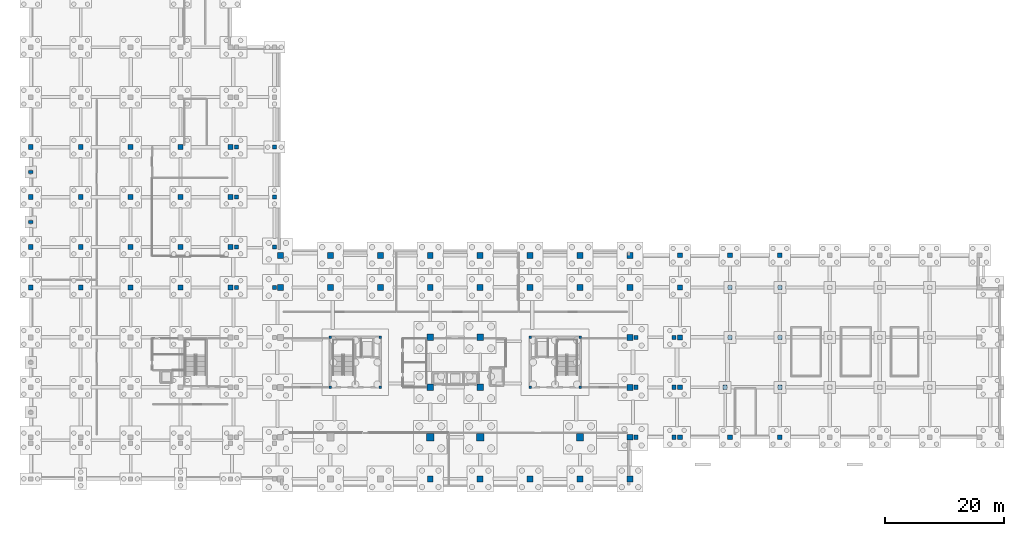
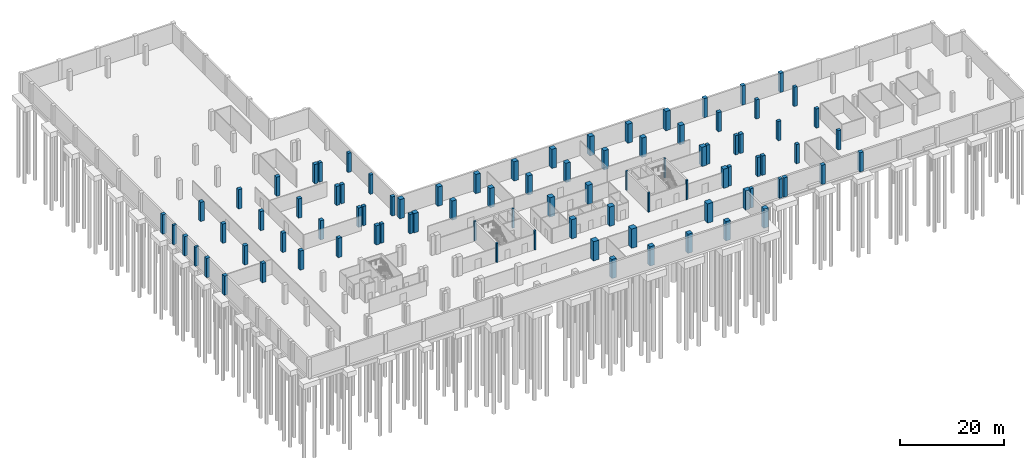
# One storey, part 8 of 17: 90 columns.
"""IFC4 building model written with IfcOpenShell, lengths in metres."""

from ifc_helpers import new_model, si_unit, direction, frame, origin, origin_2d, place, context, subcontext, project, spatial, rectangle, extrude, material, material_profile, profile_set, type_object, element, save


model = new_model("IFC4")

# Units and contexts
model_context = context("Model", 3, precision=1e-05, world=origin(), true_north=direction((0.0, 1.0)))
body_context = subcontext(model_context, "Body", "Model", "MODEL_VIEW")
ifc_project = project(units=[si_unit("LENGTHUNIT", "METRE"), si_unit("AREAUNIT", "SQUARE_METRE"), si_unit("VOLUMEUNIT", "CUBIC_METRE"), si_unit("PLANEANGLEUNIT", "RADIAN"), si_unit("MASSUNIT", "GRAM", prefix="KILO")], contexts=[model_context])

# Site, building, storey
site_placement = place(None, origin())
site = spatial("IfcSite", under=ifc_project, at=site_placement, CompositionType="ELEMENT")
building_placement = place(site_placement, origin())
building = spatial("IfcBuilding", under=site, at=building_placement, Name="Telukmera Botanical Conservatory", CompositionType="ELEMENT")
storey_placement = place(building_placement, frame((0.0, 0.0, -4.5)))
storey = spatial("IfcBuildingStorey", under=building, at=storey_placement, Name="B1", CompositionType="ELEMENT", Elevation=-4.5)

# Columns
ifc_material_1 = material(Name="Concrete C50/60", Category="concrete")
ifc_material_profile_1 = material_profile(ifc_material_1, rectangle(XDim=1.199951171875, YDim=1.199951171875, at=origin_2d()), Name="RC 1200x1200")
ifc_profile_set_1 = profile_set([ifc_material_profile_1], Name="Concrete C50/60")
column_type_1 = type_object("IfcColumnType", Name="Col_C1", PredefinedType="COLUMN", material=ifc_profile_set_1)
for number, where, z_axis, x_axis, name in (
    (1, (75.60009765625, 17.60009765625, 0.0), (0.0, 0.0, 1.0), (1.0, 0.0, 0.0), "Column V4-B1 (75.6,17.6)"),
    (2, (84.0, 17.60009765625, 0.0), (0.0, 0.0, 1.0), (1.0, 0.0, 0.0), "Column V4-B1 (84.0,17.6)"),
    (3, (100.800048828125, 17.60009765625, 0.0), (0.0, 0.0, 1.0), (1.0, 0.0, 0.0), "Column V4-B1 (100.8,17.6)"),
):
    element("IfcColumn", number, at=place(storey_placement, frame(where, z_axis=z_axis, x_axis=x_axis)), inside=storey, type_object=column_type_1, Name=name, PredefinedType="COLUMN", context=body_context, shape_type="SweptSolid", body=[
        extrude(rectangle(XDim=1.199951171875, YDim=1.199951171875, at=origin_2d()), origin(), (0.0, 0.0, 1.0), 4.5),
    ])
ifc_material_profile_2 = material_profile(ifc_material_1, rectangle(XDim=0.39990234375, YDim=0.39990234375, at=origin_2d()), Name="RC 400x400")
ifc_profile_set_2 = profile_set([ifc_material_profile_2], Name="Concrete C50/60")
column_type_2 = type_object("IfcColumnType", Name="Col_C14", PredefinedType="COLUMN", material=ifc_profile_set_2)
for number, where, z_axis, x_axis, name in (
    (4, (58.800048828125, 26.0, 0.0), (0.0, 0.0, 1.0), (1.0, 0.0, 0.0), "Column V4-B1 (58.8,26.0)"),
    (5, (58.800048828125, 34.39990234375, 0.0), (0.0, 0.0, 1.0), (1.0, 0.0, 0.0), "Column V4-B1 (58.8,34.4)"),
    (6, (67.199951171875, 26.0, 0.0), (0.0, 0.0, 1.0), (1.0, 0.0, 0.0), "Column V4-B1 (67.2,26.0)"),
    (7, (67.199951171875, 34.39990234375, 0.0), (0.0, 0.0, 1.0), (1.0, 0.0, 0.0), "Column V4-B1 (67.2,34.4)"),
    (8, (92.39990234375, 26.0, 0.0), (0.0, 0.0, 1.0), (1.0, 0.0, 0.0), "Column V4-B1 (92.4,26.0)"),
    (9, (92.39990234375, 34.39990234375, 0.0), (0.0, 0.0, 1.0), (1.0, 0.0, 0.0), "Column V4-B1 (92.4,34.4)"),
    (10, (100.800048828125, 26.0, 0.0), (0.0, 0.0, 1.0), (1.0, 0.0, 0.0), "Column V4-B1 (100.8,26.0)"),
    (11, (100.800048828125, 34.39990234375, 0.0), (0.0, 0.0, 1.0), (1.0, 0.0, 0.0), "Column V4-B1 (100.8,34.4)"),
):
    element("IfcColumn", number, at=place(storey_placement, frame(where, z_axis=z_axis, x_axis=x_axis)), inside=storey, type_object=column_type_2, Name=name, PredefinedType="COLUMN", context=body_context, shape_type="SweptSolid", body=[
        extrude(rectangle(XDim=0.39990234375, YDim=0.39990234375, at=origin_2d()), origin(), (0.0, 0.0, 1.0), 4.5),
    ])
ifc_material_profile_3 = material_profile(ifc_material_1, rectangle(XDim=1.10009765625, YDim=1.10009765625, at=origin_2d()), Name="RC 1100x1100")
ifc_profile_set_3 = profile_set([ifc_material_profile_3], Name="Concrete C50/60")
column_type_3 = type_object("IfcColumnType", Name="Col_C2", PredefinedType="COLUMN", material=ifc_profile_set_3)
for number, where, z_axis, x_axis, name in (
    (12, (75.60009765625, 26.0, 0.0), (0.0, 0.0, 1.0), (1.0, 0.0, 0.0), "Column V4-B1 (75.6,26.0)"),
    (13, (75.60009765625, 34.39990234375, 0.0), (0.0, 0.0, 1.0), (1.0, 0.0, 0.0), "Column V4-B1 (75.6,34.4)"),
    (14, (84.0, 26.0, 0.0), (0.0, 0.0, 1.0), (1.0, 0.0, 0.0), "Column V4-B1 (84.0,26.0)"),
    (15, (84.0, 34.39990234375, 0.0), (0.0, 0.0, 1.0), (1.0, 0.0, 0.0), "Column V4-B1 (84.0,34.4)"),
):
    element("IfcColumn", number, at=place(storey_placement, frame(where, z_axis=z_axis, x_axis=x_axis)), inside=storey, type_object=column_type_3, Name=name, PredefinedType="COLUMN", context=body_context, shape_type="SweptSolid", body=[
        extrude(rectangle(XDim=1.10009765625, YDim=1.10009765625, at=origin_2d()), origin(), (0.0, 0.0, 1.0), 4.5),
    ])
ifc_material_profile_4 = material_profile(ifc_material_1, rectangle(XDim=1.0, YDim=1.0, at=origin_2d()), Name="RC 1000x1000")
ifc_profile_set_4 = profile_set([ifc_material_profile_4], Name="Concrete C50/60")
column_type_4 = type_object("IfcColumnType", Name="Col_C3", PredefinedType="COLUMN", material=ifc_profile_set_4)
for number, where, z_axis, x_axis, name in (
    (16, (50.39990234375, 42.800048828125, 0.0), (0.0, 0.0, 1.0), (1.0, 0.0, 0.0), "Column V4-B1 (50.4,42.8)"),
    (17, (50.39990234375, 48.199951171875, 0.0), (0.0, 0.0, 1.0), (1.0, 0.0, 0.0), "Column V4-B1 (50.4,48.2)"),
    (18, (58.800048828125, 42.800048828125, 0.0), (0.0, 0.0, 1.0), (1.0, 0.0, 0.0), "Column V4-B1 (58.8,42.8)"),
    (19, (58.800048828125, 48.199951171875, 0.0), (0.0, 0.0, 1.0), (1.0, 0.0, 0.0), "Column V4-B1 (58.8,48.2)"),
    (20, (67.199951171875, 42.800048828125, 0.0), (0.0, 0.0, 1.0), (1.0, 0.0, 0.0), "Column V4-B1 (67.2,42.8)"),
    (21, (67.199951171875, 48.199951171875, 0.0), (0.0, 0.0, 1.0), (1.0, 0.0, 0.0), "Column V4-B1 (67.2,48.2)"),
    (22, (75.60009765625, 10.60009765625, 0.0), (0.0, 0.0, 1.0), (1.0, 0.0, 0.0), "Column V4-B1 (75.6,10.6)"),
    (23, (75.60009765625, 42.800048828125, 0.0), (0.0, 0.0, 1.0), (1.0, 0.0, 0.0), "Column V4-B1 (75.6,42.8)"),
    (24, (75.60009765625, 48.199951171875, 0.0), (0.0, 0.0, 1.0), (1.0, 0.0, 0.0), "Column V4-B1 (75.6,48.2)"),
    (25, (84.0, 10.60009765625, 0.0), (0.0, 0.0, 1.0), (1.0, 0.0, 0.0), "Column V4-B1 (84.0,10.6)"),
    (26, (84.0, 42.800048828125, 0.0), (0.0, 0.0, 1.0), (1.0, 0.0, 0.0), "Column V4-B1 (84.0,42.8)"),
    (27, (84.0, 48.199951171875, 0.0), (0.0, 0.0, 1.0), (1.0, 0.0, 0.0), "Column V4-B1 (84.0,48.2)"),
    (28, (92.39990234375, 10.60009765625, 0.0), (0.0, 0.0, 1.0), (1.0, 0.0, 0.0), "Column V4-B1 (92.4,10.6)"),
    (29, (92.39990234375, 42.800048828125, 0.0), (0.0, 0.0, 1.0), (1.0, 0.0, 0.0), "Column V4-B1 (92.4,42.8)"),
    (30, (92.39990234375, 48.199951171875, 0.0), (0.0, 0.0, 1.0), (1.0, 0.0, 0.0), "Column V4-B1 (92.4,48.2)"),
    (31, (100.800048828125, 10.60009765625, 0.0), (0.0, 0.0, 1.0), (1.0, 0.0, 0.0), "Column V4-B1 (100.8,10.6)"),
    (32, (100.800048828125, 42.800048828125, 0.0), (0.0, 0.0, 1.0), (1.0, 0.0, 0.0), "Column V4-B1 (100.8,42.8)"),
    (33, (100.800048828125, 48.199951171875, 0.0), (0.0, 0.0, 1.0), (1.0, 0.0, 0.0), "Column V4-B1 (100.8,48.2)"),
    (34, (109.199951171875, 10.60009765625, 0.0), (0.0, 0.0, 1.0), (1.0, 0.0, 0.0), "Column V4-B1 (109.2,10.6)"),
    (35, (109.199951171875, 17.60009765625, 0.0), (0.0, 0.0, 1.0), (1.0, 0.0, 0.0), "Column V4-B1 (109.2,17.6)"),
    (36, (109.199951171875, 26.0, 0.0), (0.0, 0.0, 1.0), (1.0, 0.0, 0.0), "Column V4-B1 (109.2,26.0)"),
    (37, (109.199951171875, 34.39990234375, 0.0), (0.0, 0.0, 1.0), (1.0, 0.0, 0.0), "Column V4-B1 (109.2,34.4)"),
    (38, (109.199951171875, 42.800048828125, 0.0), (0.0, 0.0, 1.0), (1.0, 0.0, 0.0), "Column V4-B1 (109.2,42.8)"),
    (39, (109.199951171875, 48.199951171875, 0.0), (0.0, 0.0, 1.0), (1.0, 0.0, 0.0), "Column V4-B1 (109.2,48.2)"),
):
    element("IfcColumn", number, at=place(storey_placement, frame(where, z_axis=z_axis, x_axis=x_axis)), inside=storey, type_object=column_type_4, Name=name, PredefinedType="COLUMN", context=body_context, shape_type="SweptSolid", body=[
        extrude(rectangle(XDim=1.0, YDim=1.0, at=origin_2d()), origin(), (0.0, 0.0, 1.0), 4.5),
    ])
ifc_material_profile_5 = material_profile(ifc_material_1, rectangle(XDim=0.800048828125, YDim=0.800048828125, at=origin_2d()), Name="RC 800x800")
ifc_profile_set_5 = profile_set([ifc_material_profile_5], Name="Concrete C50/60")
column_type_5 = type_object("IfcColumnType", Name="Col_C7", PredefinedType="COLUMN", material=ifc_profile_set_5)
for number, where, z_axis, x_axis, name in (
    (40, (117.60009765625, 17.60009765625, 0.0), (0.0, 0.0, 1.0), (1.0, 0.0, 0.0), "Column V1-B1 (117.6,17.6)"),
    (41, (117.60009765625, 26.0, 0.0), (0.0, 0.0, 1.0), (1.0, 0.0, 0.0), "Column V1-B1 (117.6,26.0)"),
    (42, (117.60009765625, 34.39990234375, 0.0), (0.0, 0.0, 1.0), (1.0, 0.0, 0.0), "Column V1-B1 (117.6,34.4)"),
    (43, (117.60009765625, 42.800048828125, 0.0), (0.0, 0.0, 1.0), (1.0, 0.0, 0.0), "Column V1-B1 (117.6,42.8)"),
    (44, (117.60009765625, 48.199951171875, 0.0), (0.0, 0.0, 1.0), (1.0, 0.0, 0.0), "Column V1-B1 (117.6,48.2)"),
    (45, (126.0, 17.60009765625, 0.0), (0.0, 0.0, 1.0), (1.0, 0.0, 0.0), "Column V1-B1 (126.0,17.6)"),
    (46, (126.0, 48.199951171875, 0.0), (0.0, 0.0, 1.0), (1.0, 0.0, 0.0), "Column V1-B1 (126.0,48.2)"),
    (47, (134.39990234375, 17.60009765625, 0.0), (0.0, 0.0, 1.0), (1.0, 0.0, 0.0), "Column V1-B1 (134.4,17.6)"),
    (48, (134.39990234375, 48.199951171875, 0.0), (0.0, 0.0, 1.0), (1.0, 0.0, 0.0), "Column V1-B1 (134.4,48.2)"),
    (49, (8.39990234375, 42.800048828125, 0.0), (0.0, 0.0, 1.0), (1.0, 0.0, 0.0), "Column V3-B1 (8.4,42.8)"),
    (50, (8.39990234375, 49.60009765625, 0.0), (0.0, 0.0, 1.0), (1.0, 0.0, 0.0), "Column V3-B1 (8.4,49.6)"),
    (51, (8.39990234375, 58.0, 0.0), (0.0, 0.0, 1.0), (1.0, 0.0, 0.0), "Column V3-B1 (8.4,58.0)"),
    (52, (8.39990234375, 66.39990234375, 0.0), (0.0, 0.0, 1.0), (1.0, 0.0, 0.0), "Column V3-B1 (8.4,66.4)"),
    (53, (16.800048828125, 42.800048828125, 0.0), (0.0, 0.0, 1.0), (1.0, 0.0, 0.0), "Column V3-B1 (16.8,42.8)"),
    (54, (16.800048828125, 49.60009765625, 0.0), (0.0, 0.0, 1.0), (1.0, 0.0, 0.0), "Column V3-B1 (16.8,49.6)"),
    (55, (16.800048828125, 58.0, 0.0), (0.0, 0.0, 1.0), (1.0, 0.0, 0.0), "Column V3-B1 (16.8,58.0)"),
    (56, (16.800048828125, 66.39990234375, 0.0), (0.0, 0.0, 1.0), (1.0, 0.0, 0.0), "Column V3-B1 (16.8,66.4)"),
    (57, (25.199951171875, 42.800048828125, 0.0), (0.0, 0.0, 1.0), (1.0, 0.0, 0.0), "Column V3-B1 (25.2,42.8)"),
    (58, (25.199951171875, 49.60009765625, 0.0), (0.0, 0.0, 1.0), (1.0, 0.0, 0.0), "Column V3-B1 (25.2,49.6)"),
    (59, (25.199951171875, 58.0, 0.0), (0.0, 0.0, 1.0), (1.0, 0.0, 0.0), "Column V3-B1 (25.2,58.0)"),
    (60, (25.199951171875, 66.39990234375, 0.0), (0.0, 0.0, 1.0), (1.0, 0.0, 0.0), "Column V3-B1 (25.2,66.4)"),
    (61, (33.60009765625, 42.800048828125, 0.0), (0.0, 0.0, 1.0), (1.0, 0.0, 0.0), "Column V3-B1 (33.6,42.8)"),
    (62, (33.60009765625, 49.60009765625, 0.0), (0.0, 0.0, 1.0), (1.0, 0.0, 0.0), "Column V3-B1 (33.6,49.6)"),
    (63, (33.60009765625, 58.0, 0.0), (0.0, 0.0, 1.0), (1.0, 0.0, 0.0), "Column V3-B1 (33.6,58.0)"),
    (64, (33.60009765625, 66.39990234375, 0.0), (0.0, 0.0, 1.0), (1.0, 0.0, 0.0), "Column V3-B1 (33.6,66.4)"),
    (65, (42.0, 42.800048828125, 0.0), (0.0, 0.0, 1.0), (1.0, 0.0, 0.0), "Column V3-B1 (42.0,42.8)"),
    (66, (42.0, 49.60009765625, 0.0), (0.0, 0.0, 1.0), (1.0, 0.0, 0.0), "Column V3-B1 (42.0,49.6)"),
    (67, (42.0, 58.0, 0.0), (0.0, 0.0, 1.0), (1.0, 0.0, 0.0), "Column V3-B1 (42.0,58.0)"),
    (68, (42.0, 66.39990234375, 0.0), (0.0, 0.0, 1.0), (1.0, 0.0, 0.0), "Column V3-B1 (42.0,66.4)"),
):
    element("IfcColumn", number, at=place(storey_placement, frame(where, z_axis=z_axis, x_axis=x_axis)), inside=storey, type_object=column_type_5, Name=name, PredefinedType="COLUMN", context=body_context, shape_type="SweptSolid", body=[
        extrude(rectangle(XDim=0.800048828125, YDim=0.800048828125, at=origin_2d()), origin(), (0.0, 0.0, 1.0), 4.5),
    ])
ifc_material_2 = material(Name="Concrete C40/50", Category="concrete")
ifc_material_profile_6 = material_profile(ifc_material_2, rectangle(XDim=0.699951171875, YDim=0.699951171875, at=origin_2d()), Name="RC 700x700")
ifc_profile_set_6 = profile_set([ifc_material_profile_6], Name="Concrete C40/50")
column_type_6 = type_object("IfcColumnType", Name="Col_C9", PredefinedType="COLUMN", material=ifc_profile_set_6)
for number, where, z_axis, x_axis, name in (
    (69, (125.199951171875, 26.0, 0.0), (0.0, 0.0, 1.0), (1.0, 0.0, 0.0), "Column V1-B1 (125.2,26.0)"),
    (70, (126.0, 34.39990234375, 0.0), (0.0, 0.0, 1.0), (1.0, 0.0, 0.0), "Column V1-B1 (126.0,34.4)"),
    (71, (126.0, 42.800048828125, 0.0), (0.0, 0.0, 1.0), (1.0, 0.0, 0.0), "Column V1-B1 (126.0,42.8)"),
    (72, (134.39990234375, 26.0, 0.0), (0.0, 0.0, 1.0), (1.0, 0.0, 0.0), "Column V1-B1 (134.4,26.0)"),
    (73, (134.39990234375, 34.39990234375, 0.0), (0.0, 0.0, 1.0), (1.0, 0.0, 0.0), "Column V1-B1 (134.4,34.4)"),
    (74, (134.39990234375, 42.800048828125, 0.0), (0.0, 0.0, 1.0), (1.0, 0.0, 0.0), "Column V1-B1 (134.4,42.8)"),
    (75, (43.0, 42.800048828125, 0.0), (0.0, 0.0, 1.0), (1.0, 0.0, 0.0), "Column V5-B1 (43.0,42.8)"),
    (76, (49.39990234375, 42.800048828125, 0.0), (0.0, 0.0, 1.0), (1.0, 0.0, 0.0), "Column V5-B1 (49.4,42.8)"),
    (77, (43.0, 49.60009765625, 0.0), (0.0, 0.0, 1.0), (1.0, 0.0, 0.0), "Column V5-B1 (43.0,49.6)"),
    (78, (49.39990234375, 49.60009765625, 0.0), (0.0, 0.0, 1.0), (1.0, 0.0, 0.0), "Column V5-B1 (49.4,49.6)"),
    (79, (43.0, 58.0, 0.0), (0.0, 0.0, 1.0), (1.0, 0.0, 0.0), "Column V5-B1 (43.0,58.0)"),
    (80, (49.39990234375, 58.0, 0.0), (0.0, 0.0, 1.0), (1.0, 0.0, 0.0), "Column V5-B1 (49.4,58.0)"),
    (81, (43.0, 66.39990234375, 0.0), (0.0, 0.0, 1.0), (1.0, 0.0, 0.0), "Column V5-B1 (43.0,66.4)"),
    (82, (49.39990234375, 66.39990234375, 0.0), (0.0, 0.0, 1.0), (1.0, 0.0, 0.0), "Column V5-B1 (49.4,66.4)"),
    (83, (110.199951171875, 17.60009765625, 0.0), (0.0, 0.0, 1.0), (1.0, 0.0, 0.0), "Column V5-B1 (110.2,17.6)"),
    (84, (116.60009765625, 17.60009765625, 0.0), (0.0, 0.0, 1.0), (1.0, 0.0, 0.0), "Column V5-B1 (116.6,17.6)"),
    (85, (110.199951171875, 26.0, 0.0), (0.0, 0.0, 1.0), (1.0, 0.0, 0.0), "Column V5-B1 (110.2,26.0)"),
    (86, (116.60009765625, 26.0, 0.0), (0.0, 0.0, 1.0), (1.0, 0.0, 0.0), "Column V5-B1 (116.6,26.0)"),
    (87, (110.199951171875, 34.39990234375, 0.0), (0.0, 0.0, 1.0), (1.0, 0.0, 0.0), "Column V5-B1 (110.2,34.4)"),
    (88, (116.60009765625, 34.39990234375, 0.0), (0.0, 0.0, 1.0), (1.0, 0.0, 0.0), "Column V5-B1 (116.6,34.4)"),
):
    element("IfcColumn", number, at=place(storey_placement, frame(where, z_axis=z_axis, x_axis=x_axis)), inside=storey, type_object=column_type_6, Name=name, PredefinedType="COLUMN", context=body_context, shape_type="SweptSolid", body=[
        extrude(rectangle(XDim=0.699951171875, YDim=0.699951171875, at=origin_2d()), origin(), (0.0, 0.0, 1.0), 4.5),
    ])
ifc_material_3 = material(Name="Precast concrete C40/50", Category="concrete")
ifc_material_profile_7 = material_profile(ifc_material_3, rectangle(XDim=0.800048828125, YDim=0.5, at=origin_2d()), Name="PC 800x500")
ifc_profile_set_7 = profile_set([ifc_material_profile_7], Name="Precast concrete C40/50")
column_type_7 = type_object("IfcColumnType", Name="Col_PLP1", PredefinedType="PILASTER", material=ifc_profile_set_7)
for number, where, z_axis, x_axis, name in (
    (89, (8.39990234375, 53.800048828125, 0.0), (0.0, 0.0, 1.0), (1.0, 0.0, 0.0), "Column V3-B1 (8.4,53.8)"),
    (90, (8.39990234375, 62.199951171875, 0.0), (0.0, 0.0, 1.0), (1.0, 0.0, 0.0), "Column V3-B1 (8.4,62.2)"),
):
    element("IfcColumn", number, at=place(storey_placement, frame(where, z_axis=z_axis, x_axis=x_axis)), inside=storey, type_object=column_type_7, Name=name, PredefinedType="PILASTER", context=body_context, shape_type="SweptSolid", body=[
        extrude(rectangle(XDim=0.800048828125, YDim=0.5, at=origin_2d()), origin(), (0.0, 0.0, 1.0), 4.5),
    ])

save(model, "model.ifc")
